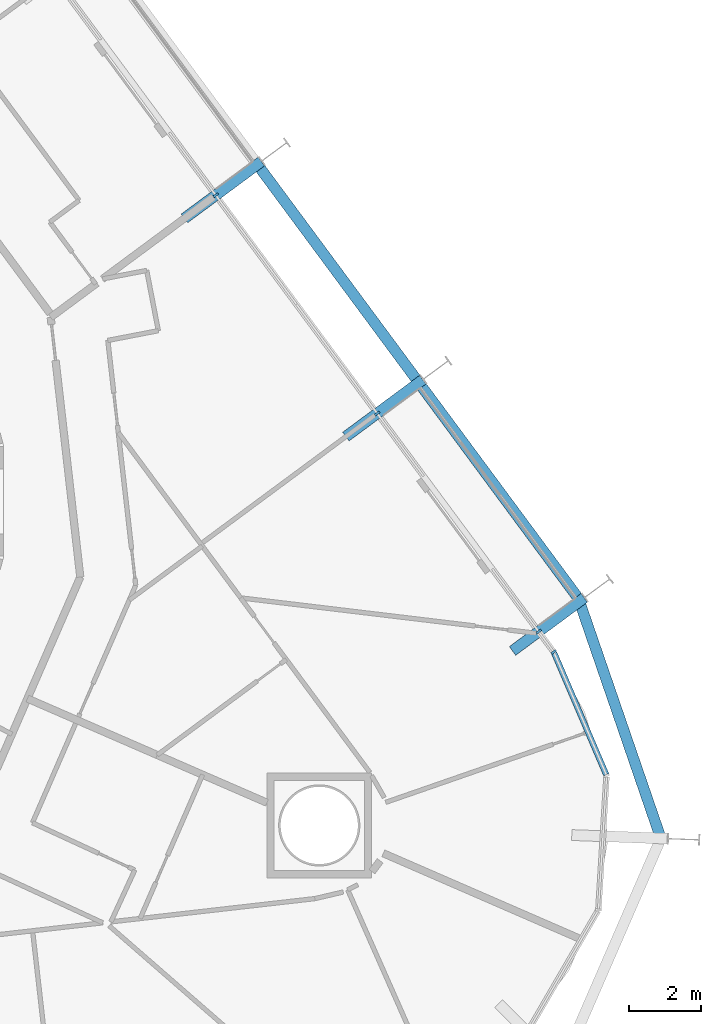
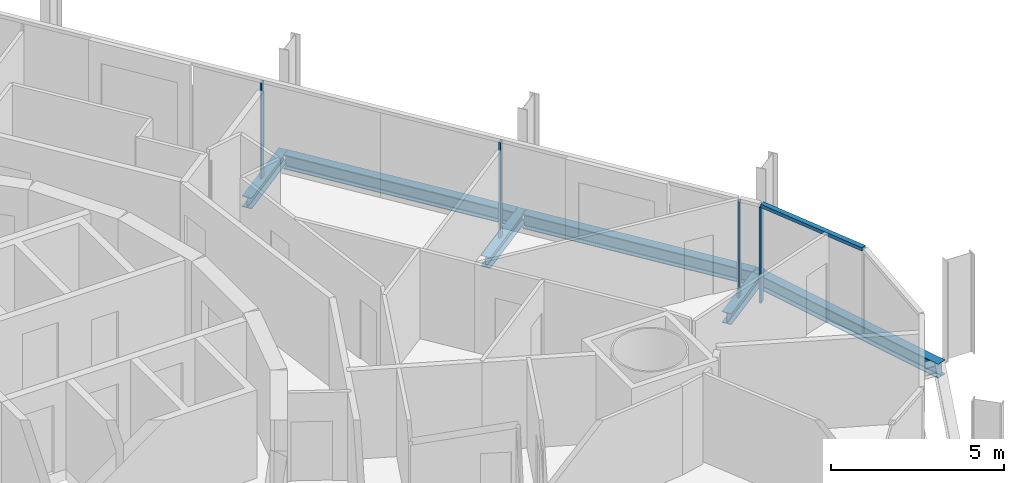
# One storey, part 8 of 24: 6 beams, 5 members, 2 elements without a shape of their own.
"""IFC4 building model written with IfcOpenShell, lengths in metres."""

from ifc_helpers import new_model, si_unit, direction, frame, origin, origin_2d, place, context, subcontext, project, spatial, rectangle, i_section, extrude, material, layer, layer_set, material_profile, profile_set, type_object, element, aggregate, save


model = new_model("IFC4")

# Units and contexts
model_context = context("Model", 3, precision=1e-05, world=origin(), true_north=direction((0.0, 1.0)))
body_context = subcontext(model_context, "Body", "Model", "MODEL_VIEW")
ifc_project = project(units=[si_unit("LENGTHUNIT", "METRE"), si_unit("AREAUNIT", "SQUARE_METRE"), si_unit("VOLUMEUNIT", "CUBIC_METRE"), si_unit("PLANEANGLEUNIT", "RADIAN"), si_unit("MASSUNIT", "GRAM", prefix="KILO")], contexts=[model_context])

# Site, building, storey
site_placement = place(None, origin())
site = spatial("IfcSite", under=ifc_project, at=site_placement, CompositionType="ELEMENT")
building_placement = place(site_placement, origin())
building = spatial("IfcBuilding", under=site, at=building_placement, Name="Spindle Arch Residences", CompositionType="ELEMENT")
storey_placement = place(building_placement, frame((0.0, 0.0, 94.199951171875)))
storey = spatial("IfcBuildingStorey", under=building, at=storey_placement, Name="L22", CompositionType="ELEMENT", Elevation=94.199951171875)

# Curtain wall, member
ifc_material_1 = material(Name="Aluminium bronze unitised frame with tinted glass", Category="aluminium")
ifc_layer_1 = layer(ifc_material_1, 0.159912109375)
ifc_layer_set_1 = layer_set([ifc_layer_1], Name="CW-D corner wall on the fillet arcs")
curtain_wall_type_1 = type_object("IfcCurtainWallType", Name="CW-D corner wall on the fillet arcs", PredefinedType="NOTDEFINED", material=ifc_layer_set_1)
curtain_wall_1_placement = place(storey_placement, origin())
curtain_wall_1 = element("IfcCurtainWall", 1, at=curtain_wall_1_placement, inside=storey, type_object=curtain_wall_type_1, Name="CW-D L22 run 1", PredefinedType="NOTDEFINED")
ifc_material_2 = material(Name="Aluminium bronze anodised mullion", Category="aluminium")
ifc_material_profile_1 = material_profile(ifc_material_2, rectangle(XDim=0.159912109375, YDim=0.06005859375, at=origin_2d()), Name="MU 60x160")
ifc_profile_set_1 = profile_set([ifc_material_profile_1], Name="Aluminium bronze anodised mullion")
member_type_1 = type_object("IfcMemberType", Name="Bronze mullion 60x160", PredefinedType="MULLION", material=ifc_profile_set_1)
member_1_placement = place(storey_placement, frame((27.142822265625, -4.171630859375, -0.3798828125), z_axis=(0.0, 0.0, 1.0), x_axis=(-0.803856860617, -0.594822786751, 0.0)))
member_1 = element("IfcMember", 2, at=member_1_placement, type_object=member_type_1, Name="CW-D mullion 05", PredefinedType="MULLION", context=body_context, shape_type="SweptSolid", body=[
    extrude(rectangle(XDim=0.159912109375, YDim=0.06005859375, at=origin_2d()), origin(), (0.0, 0.0, 1.0), 3.3798828125),
])

# Curtain wall, members
ifc_material_3 = material(Name="Aluminium bronze unitised frame with tinted glass", Category="aluminium")
ifc_layer_2 = layer(ifc_material_3, 0.159912109375)
ifc_layer_set_2 = layer_set([ifc_layer_2], Name="CW-C typical residential unitised wall")
curtain_wall_type_2 = type_object("IfcCurtainWallType", Name="CW-C typical residential unitised wall", PredefinedType="NOTDEFINED", material=ifc_layer_set_2)
curtain_wall_2_placement = place(storey_placement, origin())
curtain_wall_2 = element("IfcCurtainWall", 3, at=curtain_wall_2_placement, inside=storey, type_object=curtain_wall_type_2, Name="CW-C L22 run 2", PredefinedType="NOTDEFINED")
member_2_placement = place(storey_placement, frame((26.7255859375, -3.607666015625, -0.3798828125), z_axis=(0.0, 0.0, 1.0), x_axis=(-0.803856860617, -0.594822786751, 0.0)))
member_2 = element("IfcMember", 4, at=member_2_placement, type_object=member_type_1, Name="CW-C mullion 05", PredefinedType="MULLION", context=body_context, shape_type="SweptSolid", body=[
    extrude(rectangle(XDim=0.159912109375, YDim=0.06005859375, at=origin_2d()), origin(), (0.0, 0.0, 1.0), 3.3798828125),
])
member_3_placement = place(storey_placement, frame((22.253173828125, 2.436279296875, -0.3798828125), z_axis=(0.0, 0.0, 1.0), x_axis=(-0.803856860617, -0.594822786751, 0.0)))
member_3 = element("IfcMember", 5, at=member_3_placement, type_object=member_type_1, Name="CW-C mullion 06", PredefinedType="MULLION", context=body_context, shape_type="SweptSolid", body=[
    extrude(rectangle(XDim=0.159912109375, YDim=0.06005859375, at=origin_2d()), origin(), (0.0, 0.0, 1.0), 3.3798828125),
])
member_4_placement = place(storey_placement, frame((17.78076171875, 8.48046875, -0.3798828125), z_axis=(0.0, 0.0, 1.0), x_axis=(-0.803856860617, -0.594822786751, 0.0)))
member_4 = element("IfcMember", 6, at=member_4_placement, type_object=member_type_1, Name="CW-C mullion 07", PredefinedType="MULLION", context=body_context, shape_type="SweptSolid", body=[
    extrude(rectangle(XDim=0.159912109375, YDim=0.06005859375, at=origin_2d()), origin(), (0.0, 0.0, 1.0), 3.3798828125),
])
aggregate(curtain_wall_2, [member_2, member_3, member_4])

# Member
ifc_material_4 = material(Name="Aluminium bronze anodised transom", Category="aluminium")
ifc_material_profile_2 = material_profile(ifc_material_4, rectangle(XDim=0.159912109375, YDim=0.1201171875, at=origin_2d()), Name="TR 120x160")
ifc_profile_set_2 = profile_set([ifc_material_profile_2], Name="Aluminium bronze anodised transom")
member_type_2 = type_object("IfcMemberType", Name="Bronze transom 120x160", PredefinedType="USERDEFINED", material=ifc_profile_set_2)
member_5_placement = place(storey_placement, frame((28.59716796875, -7.5703125, 3.06005859375), z_axis=(-0.393429066236, 0.919354974882, 0.0), x_axis=(-0.919354974882, -0.393429066236, 0.0)))
member_5 = element("IfcMember", 7, at=member_5_placement, type_object=member_type_2, Name="CW-D transom 04", ObjectType="TRANSOM", PredefinedType="USERDEFINED", context=body_context, shape_type="SweptSolid", body=[
    extrude(rectangle(XDim=0.159912109375, YDim=0.1201171875, at=origin_2d()), origin(), (0.0, 0.0, 1.0), 3.666748046875),
])

aggregate(curtain_wall_1, [member_5, member_1])

# Beams
ifc_material_5 = material(Name="Steel S460ML, intumescent coating R 120", Category="steel")
ifc_material_profile_3 = material_profile(ifc_material_5, i_section(OverallWidth=0.300048828125, OverallDepth=0.5, WebThickness=0.014404296875, FlangeThickness=0.028076171875, FilletRadius=0.027099609375, at=origin_2d()), Name="HEB 500")
ifc_profile_set_3 = profile_set([ifc_material_profile_3], Name="Steel S460ML, intumescent coating R 120")
beam_type_1 = type_object("IfcBeamType", Name="Exoskeleton edge beam HEB 500", PredefinedType="BEAM", material=ifc_profile_set_3)
beam_1_placement = place(storey_placement, frame((30.13720703125, -9.4111328125, -0.6298828125), z_axis=(-0.325113431361, 0.94567502703, 0.0), x_axis=(-0.94567502703, -0.325113431361, 0.0)))
element("IfcBeam", 8, at=beam_1_placement, inside=storey, type_object=beam_type_1, Name="Exoskeleton edge beam 5", PredefinedType="BEAM", context=body_context, shape_type="SweptSolid", body=[
    extrude(i_section(OverallWidth=0.300048828125, OverallDepth=0.5, WebThickness=0.014404296875, FlangeThickness=0.028076171875, FilletRadius=0.027099609375, at=origin_2d()), origin(), (0.0, 0.0, 1.0), 7.09423828125),
])
for number, where, z_axis, x_axis, name in (
    (9, (27.800048828125, -2.65087890625, -0.6298828125), (-0.594821272041, 0.803857981441, 0.0), (-0.803857981441, -0.594821272041, 0.0), "Exoskeleton edge beam 6"),
    (10, (23.32763671875, 3.393310546875, -0.6298828125), (-0.594821272041, 0.803857981441, 0.0), (-0.803857981441, -0.594821272041, 0.0), "Exoskeleton edge beam 7"),
):
    element("IfcBeam", number, at=place(storey_placement, frame(where, z_axis=z_axis, x_axis=x_axis)), inside=storey, type_object=beam_type_1, Name=name, PredefinedType="BEAM", context=body_context, shape_type="SweptSolid", body=[
        extrude(i_section(OverallWidth=0.300048828125, OverallDepth=0.5, WebThickness=0.014404296875, FlangeThickness=0.028076171875, FilletRadius=0.027099609375, at=origin_2d()), origin(), (0.0, 0.0, 1.0), 7.2587890625),
    ])
ifc_material_6 = material(Name="Steel S460ML, intumescent coating R 120", Category="steel")
ifc_material_profile_4 = material_profile(ifc_material_6, i_section(OverallWidth=0.300048828125, OverallDepth=0.389892578125, WebThickness=0.010986328125, FlangeThickness=0.01904296875, FilletRadius=0.027099609375, at=origin_2d()), Name="HEA 400")
ifc_profile_set_4 = profile_set([ifc_material_profile_4], Name="Steel S460ML, intumescent coating R 120")
beam_type_2 = type_object("IfcBeamType", Name="Floor outrigger HEA 400", PredefinedType="BEAM", material=ifc_profile_set_4)
beam_2_placement = place(storey_placement, frame((27.987548828125, -2.673828125, -0.574951171875), z_axis=(-0.803824891941, -0.59486598751, 0.0), x_axis=(0.59486598751, -0.803824891941, 0.0)))
element("IfcBeam", 11, at=beam_2_placement, inside=storey, type_object=beam_type_2, Name="Floor outrigger 6", PredefinedType="BEAM", context=body_context, shape_type="SweptSolid", body=[
    extrude(i_section(OverallWidth=0.300048828125, OverallDepth=0.389892578125, WebThickness=0.010986328125, FlangeThickness=0.01904296875, FilletRadius=0.027099609375, at=origin_2d()), origin(), (0.0, 0.0, 1.0), 2.47119140625),
])
beam_3_placement = place(storey_placement, frame((23.51513671875, 3.3701171875, -0.574951171875), z_axis=(-0.803863925893, -0.59481323846, 0.0), x_axis=(0.59481323846, -0.803863925893, 0.0)))
element("IfcBeam", 12, at=beam_3_placement, inside=storey, type_object=beam_type_2, Name="Floor outrigger 7", PredefinedType="BEAM", context=body_context, shape_type="SweptSolid", body=[
    extrude(i_section(OverallWidth=0.300048828125, OverallDepth=0.389892578125, WebThickness=0.010986328125, FlangeThickness=0.01904296875, FilletRadius=0.027099609375, at=origin_2d()), origin(), (0.0, 0.0, 1.0), 2.64990234375),
])
beam_4_placement = place(storey_placement, frame((19.04296875, 9.414306640625, -0.574951171875), z_axis=(-0.80385247079, -0.594828719217, 0.0), x_axis=(0.594828719217, -0.80385247079, 0.0)))
element("IfcBeam", 13, at=beam_4_placement, inside=storey, type_object=beam_type_2, Name="Floor outrigger 8", PredefinedType="BEAM", context=body_context, shape_type="SweptSolid", body=[
    extrude(i_section(OverallWidth=0.300048828125, OverallDepth=0.389892578125, WebThickness=0.010986328125, FlangeThickness=0.01904296875, FilletRadius=0.027099609375, at=origin_2d()), origin(), (0.0, 0.0, 1.0), 2.650146484375),
])

save(model, "model.ifc")
